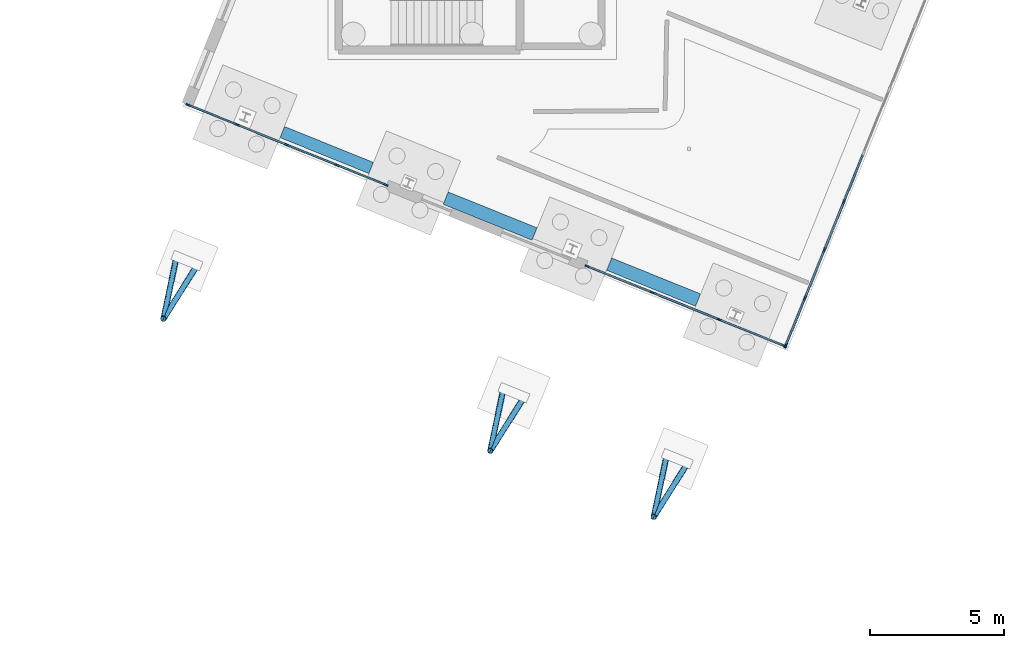
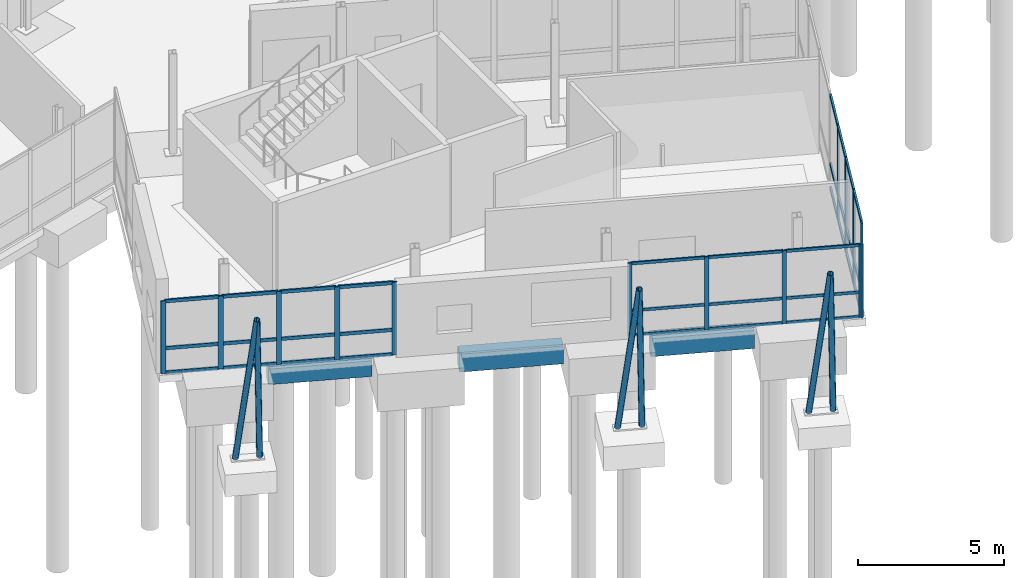
# One storey, part 41 of 113: 52 members, 3 beams, 3 elements without a shape of their own.
"""IFC4 building model written with IfcOpenShell, lengths in metres."""

from ifc_helpers import new_model, si_unit, direction, frame, origin, origin_2d, place, context, subcontext, project, spatial, rectangle, hollow_circle, extrude, material, material_profile, profile_set, type_object, element, aggregate, save


model = new_model("IFC4")

# Units and contexts
model_context = context("Model", 3, precision=1e-05, world=origin(), true_north=direction((0.0, 1.0)))
body_context = subcontext(model_context, "Body", "Model", "MODEL_VIEW")
ifc_project = project(units=[si_unit("LENGTHUNIT", "METRE"), si_unit("AREAUNIT", "SQUARE_METRE"), si_unit("VOLUMEUNIT", "CUBIC_METRE"), si_unit("PLANEANGLEUNIT", "RADIAN"), si_unit("MASSUNIT", "GRAM", prefix="KILO")], contexts=[model_context])

# Site, building, storey
site_placement = place(None, origin())
site = spatial("IfcSite", under=ifc_project, at=site_placement, CompositionType="ELEMENT")
building_placement = place(site_placement, origin())
building = spatial("IfcBuilding", under=site, at=building_placement, Name="Wrenclough Park School", CompositionType="ELEMENT")
storey_placement = place(building_placement, origin())
storey = spatial("IfcBuildingStorey", under=building, at=storey_placement, Name="L00", CompositionType="ELEMENT", Elevation=0.0)

# Curtain wall, members
ifc_material_1 = material(Name="Thermally broken aluminium and low-e glass curtain wall", Category="aluminium")
curtain_wall_type_1 = type_object("IfcCurtainWallType", Name="ENV-CW-12", PredefinedType="USERDEFINED", material=ifc_material_1)
curtain_wall_1_placement = place(storey_placement, origin())
curtain_wall_1 = element("IfcCurtainWall", 1, at=curtain_wall_1_placement, inside=storey, type_object=curtain_wall_type_1, Name="L00 recessed curtain wall assembly 075", ObjectType="CURTAIN WALL", PredefinedType="USERDEFINED")
ifc_material_2 = material(Name="Thermally broken anodised aluminium", Category="aluminium")
ifc_material_profile_1 = material_profile(ifc_material_2, rectangle(XDim=0.06005859375, YDim=0.159912109375, at=origin_2d()), Name="AL MULLION 60x160")
ifc_profile_set_1 = profile_set([ifc_material_profile_1], Name="Thermally broken anodised aluminium")
member_type_1 = type_object("IfcMemberType", Name="ENV-CWM-1", PredefinedType="MULLION", material=ifc_profile_set_1)
member_1_placement = place(storey_placement, frame((64.75439453125, 73.77392578125, 0.0), z_axis=(0.0, 0.0, 1.0), x_axis=(-0.374602999753, -0.927185306493, 0.0)))
member_1 = element("IfcMember", 2, at=member_1_placement, type_object=member_type_1, Name="CW-12 mullion 1", PredefinedType="MULLION", context=body_context, shape_type="SweptSolid", body=[
    extrude(rectangle(XDim=0.06005859375, YDim=0.159912109375, at=origin_2d()), origin(), (0.0, 0.0, 1.0), 3.0419921875),
])
member_2_placement = place(storey_placement, frame((62.2958984375, 74.767333984375, 0.0), z_axis=(0.0, 0.0, 1.0), x_axis=(-0.374602999753, -0.927185306493, 0.0)))
member_2 = element("IfcMember", 3, at=member_2_placement, type_object=member_type_1, Name="CW-12 mullion 2", PredefinedType="MULLION", context=body_context, shape_type="SweptSolid", body=[
    extrude(rectangle(XDim=0.06005859375, YDim=0.159912109375, at=origin_2d()), origin(), (0.0, 0.0, 1.0), 3.0419921875),
])
member_3_placement = place(storey_placement, frame((59.809326171875, 75.77197265625, 0.0), z_axis=(0.0, 0.0, 1.0), x_axis=(-0.374602999753, -0.927185306493, 0.0)))
member_3 = element("IfcMember", 4, at=member_3_placement, type_object=member_type_1, Name="CW-12 mullion 3", PredefinedType="MULLION", context=body_context, shape_type="SweptSolid", body=[
    extrude(rectangle(XDim=0.06005859375, YDim=0.159912109375, at=origin_2d()), origin(), (0.0, 0.0, 1.0), 3.0419921875),
])
member_4_placement = place(storey_placement, frame((57.3505859375, 76.765380859375, 0.0), z_axis=(0.0, 0.0, 1.0), x_axis=(-0.374602999753, -0.927185306493, 0.0)))
member_4 = element("IfcMember", 5, at=member_4_placement, type_object=member_type_1, Name="CW-12 mullion 4", PredefinedType="MULLION", context=body_context, shape_type="SweptSolid", body=[
    extrude(rectangle(XDim=0.06005859375, YDim=0.159912109375, at=origin_2d()), origin(), (0.0, 0.0, 1.0), 3.0419921875),
])

curtain_wall_type_2 = type_object("IfcCurtainWallType", Name="ENV-CW-13", PredefinedType="USERDEFINED", material=ifc_material_1)
curtain_wall_2_placement = place(storey_placement, origin())
curtain_wall_2 = element("IfcCurtainWall", 6, at=curtain_wall_2_placement, inside=storey, type_object=curtain_wall_type_2, Name="L00 recessed curtain wall assembly 076", ObjectType="CURTAIN WALL", PredefinedType="USERDEFINED")
ifc_material_profile_2 = material_profile(ifc_material_2, rectangle(XDim=0.06494140625, YDim=0.179931640625, at=origin_2d()), Name="AL MULLION 65x180")
ifc_profile_set_2 = profile_set([ifc_material_profile_2], Name="Thermally broken anodised aluminium")
member_type_2 = type_object("IfcMemberType", Name="ENV-CWM-2", PredefinedType="MULLION", material=ifc_profile_set_2)
member_5_placement = place(storey_placement, frame((49.818359375, 79.80859375, 0.0), z_axis=(0.0, 0.0, 1.0), x_axis=(-0.374602999753, -0.927185306493, 0.0)))
member_5 = element("IfcMember", 7, at=member_5_placement, type_object=member_type_2, Name="CW-13 mullion 1", PredefinedType="MULLION", context=body_context, shape_type="SweptSolid", body=[
    extrude(rectangle(XDim=0.06494140625, YDim=0.179931640625, at=origin_2d()), origin(), (0.0, 0.0, 1.0), 3.0419921875),
])
member_6_placement = place(storey_placement, frame((47.983642578125, 80.5498046875, 0.0), z_axis=(0.0, 0.0, 1.0), x_axis=(-0.374602999753, -0.927185306493, 0.0)))
member_6 = element("IfcMember", 8, at=member_6_placement, type_object=member_type_2, Name="CW-13 mullion 2", PredefinedType="MULLION", context=body_context, shape_type="SweptSolid", body=[
    extrude(rectangle(XDim=0.06494140625, YDim=0.179931640625, at=origin_2d()), origin(), (0.0, 0.0, 1.0), 3.0419921875),
])
member_7_placement = place(storey_placement, frame((46.11865234375, 81.30322265625, 0.0), z_axis=(0.0, 0.0, 1.0), x_axis=(-0.374602999753, -0.927185306493, 0.0)))
member_7 = element("IfcMember", 9, at=member_7_placement, type_object=member_type_2, Name="CW-13 mullion 3", PredefinedType="MULLION", context=body_context, shape_type="SweptSolid", body=[
    extrude(rectangle(XDim=0.06494140625, YDim=0.179931640625, at=origin_2d()), origin(), (0.0, 0.0, 1.0), 3.0419921875),
])
member_8_placement = place(storey_placement, frame((44.25390625, 82.056640625, 0.0), z_axis=(0.0, 0.0, 1.0), x_axis=(-0.374602999753, -0.927185306493, 0.0)))
member_8 = element("IfcMember", 10, at=member_8_placement, type_object=member_type_2, Name="CW-13 mullion 4", PredefinedType="MULLION", context=body_context, shape_type="SweptSolid", body=[
    extrude(rectangle(XDim=0.06494140625, YDim=0.179931640625, at=origin_2d()), origin(), (0.0, 0.0, 1.0), 3.0419921875),
])
member_9_placement = place(storey_placement, frame((42.419189453125, 82.798095703125, 0.0), z_axis=(0.0, 0.0, 1.0), x_axis=(-0.374602999753, -0.927185306493, 0.0)))
member_9 = element("IfcMember", 11, at=member_9_placement, type_object=member_type_2, Name="CW-13 mullion 5", PredefinedType="MULLION", context=body_context, shape_type="SweptSolid", body=[
    extrude(rectangle(XDim=0.06494140625, YDim=0.179931640625, at=origin_2d()), origin(), (0.0, 0.0, 1.0), 3.0419921875),
])

curtain_wall_type_3 = type_object("IfcCurtainWallType", Name="ENV-CW-11", PredefinedType="USERDEFINED", material=ifc_material_1)
curtain_wall_3_placement = place(storey_placement, origin())
curtain_wall_3 = element("IfcCurtainWall", 12, at=curtain_wall_3_placement, inside=storey, type_object=curtain_wall_type_3, Name="L00 recessed curtain wall assembly 074", ObjectType="CURTAIN WALL", PredefinedType="USERDEFINED")
ifc_material_profile_3 = material_profile(ifc_material_2, rectangle(XDim=0.070068359375, YDim=0.199951171875, at=origin_2d()), Name="AL MULLION 70x200")
ifc_profile_set_3 = profile_set([ifc_material_profile_3], Name="Thermally broken anodised aluminium")
member_type_3 = type_object("IfcMemberType", Name="ENV-CWM-3", PredefinedType="MULLION", material=ifc_profile_set_3)
member_10_placement = place(storey_placement, frame((66.970947265625, 79.169677734375, 0.0), z_axis=(0.0, 0.0, 1.0), x_axis=(0.927186240353, -0.374600688333, 0.0)))
member_10 = element("IfcMember", 13, at=member_10_placement, type_object=member_type_3, Name="CW-11 mullion 2", PredefinedType="MULLION", context=body_context, shape_type="SweptSolid", body=[
    extrude(rectangle(XDim=0.070068359375, YDim=0.199951171875, at=origin_2d()), origin(), (0.0, 0.0, 1.0), 3.93994140625),
])
member_11_placement = place(storey_placement, frame((66.2431640625, 77.3681640625, 0.0), z_axis=(0.0, 0.0, 1.0), x_axis=(0.927186240353, -0.374600688333, 0.0)))
member_11 = element("IfcMember", 14, at=member_11_placement, type_object=member_type_3, Name="CW-11 mullion 3", PredefinedType="MULLION", context=body_context, shape_type="SweptSolid", body=[
    extrude(rectangle(XDim=0.070068359375, YDim=0.199951171875, at=origin_2d()), origin(), (0.0, 0.0, 1.0), 3.93994140625),
])
member_12_placement = place(storey_placement, frame((65.515380859375, 75.56640625, 0.0), z_axis=(0.0, 0.0, 1.0), x_axis=(0.927186240353, -0.374600688333, 0.0)))
member_12 = element("IfcMember", 15, at=member_12_placement, type_object=member_type_3, Name="CW-11 mullion 4", PredefinedType="MULLION", context=body_context, shape_type="SweptSolid", body=[
    extrude(rectangle(XDim=0.070068359375, YDim=0.199951171875, at=origin_2d()), origin(), (0.0, 0.0, 1.0), 3.93994140625),
])
member_13_placement = place(storey_placement, frame((64.800537109375, 73.79736328125, 0.0), z_axis=(0.0, 0.0, 1.0), x_axis=(0.927186240353, -0.374600688333, 0.0)))
member_13 = element("IfcMember", 16, at=member_13_placement, type_object=member_type_3, Name="CW-11 mullion 5", PredefinedType="MULLION", context=body_context, shape_type="SweptSolid", body=[
    extrude(rectangle(XDim=0.070068359375, YDim=0.199951171875, at=origin_2d()), origin(), (0.0, 0.0, 1.0), 3.93994140625),
])

# Member
ifc_material_profile_4 = material_profile(ifc_material_2, rectangle(XDim=0.06005859375, YDim=0.1201171875, at=origin_2d()), Name="AL TRANSOM 60x120")
ifc_profile_set_4 = profile_set([ifc_material_profile_4], Name="Thermally broken anodised aluminium")
member_type_4 = type_object("IfcMemberType", Name="ENV-CWT-1", PredefinedType="USERDEFINED", material=ifc_profile_set_4)
member_14_placement = place(storey_placement, frame((64.7265625, 73.78515625, 0.030029296875), z_axis=(-0.927165075801, 0.374653069138, 0.0), x_axis=(-0.374653069138, -0.927165075801, 0.0)))
member_14 = element("IfcMember", 17, at=member_14_placement, type_object=member_type_4, Name="CW-12 transom 1.1", ObjectType="TRANSOM", PredefinedType="USERDEFINED", context=body_context, shape_type="SweptSolid", body=[
    extrude(rectangle(XDim=0.06005859375, YDim=0.1201171875, at=origin_2d()), origin(), (0.0, 0.0, 1.0), 2.591552734375),
])

member_15_placement = place(storey_placement, frame((64.7265625, 73.78515625, 1.050048828125), z_axis=(-0.927165075801, 0.374653069138, 0.0), x_axis=(-0.374653069138, -0.927165075801, 0.0)))
member_15 = element("IfcMember", 18, at=member_15_placement, type_object=member_type_4, Name="CW-12 transom 1.2", ObjectType="TRANSOM", PredefinedType="USERDEFINED", context=body_context, shape_type="SweptSolid", body=[
    extrude(rectangle(XDim=0.06005859375, YDim=0.1201171875, at=origin_2d()), origin(), (0.0, 0.0, 1.0), 2.591552734375),
])

member_16_placement = place(storey_placement, frame((64.7265625, 73.78515625, 3.011962890625), z_axis=(-0.927165075801, 0.374653069138, 0.0), x_axis=(-0.374653069138, -0.927165075801, 0.0)))
member_16 = element("IfcMember", 19, at=member_16_placement, type_object=member_type_4, Name="CW-12 transom 1.3", ObjectType="TRANSOM", PredefinedType="USERDEFINED", context=body_context, shape_type="SweptSolid", body=[
    extrude(rectangle(XDim=0.06005859375, YDim=0.1201171875, at=origin_2d()), origin(), (0.0, 0.0, 1.0), 2.591552734375),
])

member_17_placement = place(storey_placement, frame((62.26806640625, 74.778564453125, 0.030029296875), z_axis=(-0.927180268704, 0.374615468615, 0.0), x_axis=(-0.374615468615, -0.927180268704, 0.0)))
member_17 = element("IfcMember", 20, at=member_17_placement, type_object=member_type_4, Name="CW-12 transom 2.1", ObjectType="TRANSOM", PredefinedType="USERDEFINED", context=body_context, shape_type="SweptSolid", body=[
    extrude(rectangle(XDim=0.06005859375, YDim=0.1201171875, at=origin_2d()), origin(), (0.0, 0.0, 1.0), 2.621826171875),
])

member_18_placement = place(storey_placement, frame((62.26806640625, 74.778564453125, 1.050048828125), z_axis=(-0.927180268704, 0.374615468615, 0.0), x_axis=(-0.374615468615, -0.927180268704, 0.0)))
member_18 = element("IfcMember", 21, at=member_18_placement, type_object=member_type_4, Name="CW-12 transom 2.2", ObjectType="TRANSOM", PredefinedType="USERDEFINED", context=body_context, shape_type="SweptSolid", body=[
    extrude(rectangle(XDim=0.06005859375, YDim=0.1201171875, at=origin_2d()), origin(), (0.0, 0.0, 1.0), 2.621826171875),
])

member_19_placement = place(storey_placement, frame((62.26806640625, 74.778564453125, 3.011962890625), z_axis=(-0.927180268704, 0.374615468615, 0.0), x_axis=(-0.374615468615, -0.927180268704, 0.0)))
member_19 = element("IfcMember", 22, at=member_19_placement, type_object=member_type_4, Name="CW-12 transom 2.3", ObjectType="TRANSOM", PredefinedType="USERDEFINED", context=body_context, shape_type="SweptSolid", body=[
    extrude(rectangle(XDim=0.06005859375, YDim=0.1201171875, at=origin_2d()), origin(), (0.0, 0.0, 1.0), 2.621826171875),
])

member_20_placement = place(storey_placement, frame((59.781494140625, 75.783203125, 0.030029296875), z_axis=(-0.927178297139, 0.374620348239, 0.0), x_axis=(-0.374620348239, -0.927178297139, 0.0)))
member_20 = element("IfcMember", 23, at=member_20_placement, type_object=member_type_4, Name="CW-12 transom 3.1", ObjectType="TRANSOM", PredefinedType="USERDEFINED", context=body_context, shape_type="SweptSolid", body=[
    extrude(rectangle(XDim=0.06005859375, YDim=0.1201171875, at=origin_2d()), origin(), (0.0, 0.0, 1.0), 2.591796875),
])

member_21_placement = place(storey_placement, frame((59.781494140625, 75.783203125, 1.050048828125), z_axis=(-0.927178297139, 0.374620348239, 0.0), x_axis=(-0.374620348239, -0.927178297139, 0.0)))
member_21 = element("IfcMember", 24, at=member_21_placement, type_object=member_type_4, Name="CW-12 transom 3.2", ObjectType="TRANSOM", PredefinedType="USERDEFINED", context=body_context, shape_type="SweptSolid", body=[
    extrude(rectangle(XDim=0.06005859375, YDim=0.1201171875, at=origin_2d()), origin(), (0.0, 0.0, 1.0), 2.591796875),
])

member_22_placement = place(storey_placement, frame((59.781494140625, 75.783203125, 3.011962890625), z_axis=(-0.927178297139, 0.374620348239, 0.0), x_axis=(-0.374620348239, -0.927178297139, 0.0)))
member_22 = element("IfcMember", 25, at=member_22_placement, type_object=member_type_4, Name="CW-12 transom 3.3", ObjectType="TRANSOM", PredefinedType="USERDEFINED", context=body_context, shape_type="SweptSolid", body=[
    extrude(rectangle(XDim=0.06005859375, YDim=0.1201171875, at=origin_2d()), origin(), (0.0, 0.0, 1.0), 2.591796875),
])

aggregate(curtain_wall_1, [member_1, member_2, member_3, member_4, member_14, member_15, member_16, member_17, member_18, member_19, member_20, member_21, member_22])

ifc_material_profile_5 = material_profile(ifc_material_2, rectangle(XDim=0.06494140625, YDim=0.139892578125, at=origin_2d()), Name="AL TRANSOM 65x140")
ifc_profile_set_5 = profile_set([ifc_material_profile_5], Name="Thermally broken anodised aluminium")
member_type_5 = type_object("IfcMemberType", Name="ENV-CWT-2", PredefinedType="USERDEFINED", material=ifc_profile_set_5)
member_23_placement = place(storey_placement, frame((49.788330078125, 79.82080078125, 0.032470703125), z_axis=(-0.927222245784, 0.374511557796, 0.0), x_axis=(-0.374511557796, -0.927222245784, 0.0)))
member_23 = element("IfcMember", 26, at=member_23_placement, type_object=member_type_5, Name="CW-13 transom 1.1", ObjectType="TRANSOM", PredefinedType="USERDEFINED", context=body_context, shape_type="SweptSolid", body=[
    extrude(rectangle(XDim=0.06494140625, YDim=0.139892578125, at=origin_2d()), origin(), (0.0, 0.0, 1.0), 1.9140625),
])

member_24_placement = place(storey_placement, frame((49.788330078125, 79.82080078125, 1.050048828125), z_axis=(-0.927222245784, 0.374511557796, 0.0), x_axis=(-0.374511557796, -0.927222245784, 0.0)))
member_24 = element("IfcMember", 27, at=member_24_placement, type_object=member_type_5, Name="CW-13 transom 1.2", ObjectType="TRANSOM", PredefinedType="USERDEFINED", context=body_context, shape_type="SweptSolid", body=[
    extrude(rectangle(XDim=0.06494140625, YDim=0.139892578125, at=origin_2d()), origin(), (0.0, 0.0, 1.0), 1.9140625),
])

member_25_placement = place(storey_placement, frame((49.788330078125, 79.82080078125, 3.009521484375), z_axis=(-0.927222245784, 0.374511557796, 0.0), x_axis=(-0.374511557796, -0.927222245784, 0.0)))
member_25 = element("IfcMember", 28, at=member_25_placement, type_object=member_type_5, Name="CW-13 transom 1.3", ObjectType="TRANSOM", PredefinedType="USERDEFINED", context=body_context, shape_type="SweptSolid", body=[
    extrude(rectangle(XDim=0.06494140625, YDim=0.139892578125, at=origin_2d()), origin(), (0.0, 0.0, 1.0), 1.9140625),
])

member_26_placement = place(storey_placement, frame((47.95361328125, 80.56201171875, 0.032470703125), z_axis=(-0.927208331145, 0.37454600606, 0.0), x_axis=(-0.37454600606, -0.927208331145, 0.0)))
member_26 = element("IfcMember", 29, at=member_26_placement, type_object=member_type_5, Name="CW-13 transom 2.1", ObjectType="TRANSOM", PredefinedType="USERDEFINED", context=body_context, shape_type="SweptSolid", body=[
    extrude(rectangle(XDim=0.06494140625, YDim=0.139892578125, at=origin_2d()), origin(), (0.0, 0.0, 1.0), 1.9462890625),
])

member_27_placement = place(storey_placement, frame((47.95361328125, 80.56201171875, 1.050048828125), z_axis=(-0.927208331145, 0.37454600606, 0.0), x_axis=(-0.37454600606, -0.927208331145, 0.0)))
member_27 = element("IfcMember", 30, at=member_27_placement, type_object=member_type_5, Name="CW-13 transom 2.2", ObjectType="TRANSOM", PredefinedType="USERDEFINED", context=body_context, shape_type="SweptSolid", body=[
    extrude(rectangle(XDim=0.06494140625, YDim=0.139892578125, at=origin_2d()), origin(), (0.0, 0.0, 1.0), 1.9462890625),
])

member_28_placement = place(storey_placement, frame((47.95361328125, 80.56201171875, 3.009521484375), z_axis=(-0.927208331145, 0.37454600606, 0.0), x_axis=(-0.37454600606, -0.927208331145, 0.0)))
member_28 = element("IfcMember", 31, at=member_28_placement, type_object=member_type_5, Name="CW-13 transom 2.3", ObjectType="TRANSOM", PredefinedType="USERDEFINED", context=body_context, shape_type="SweptSolid", body=[
    extrude(rectangle(XDim=0.06494140625, YDim=0.139892578125, at=origin_2d()), origin(), (0.0, 0.0, 1.0), 1.9462890625),
])

member_29_placement = place(storey_placement, frame((46.088623046875, 81.3154296875, 0.032470703125), z_axis=(-0.927164765919, 0.374653836012, 0.0), x_axis=(-0.374653836012, -0.927164765919, 0.0)))
member_29 = element("IfcMember", 32, at=member_29_placement, type_object=member_type_5, Name="CW-13 transom 3.1", ObjectType="TRANSOM", PredefinedType="USERDEFINED", context=body_context, shape_type="SweptSolid", body=[
    extrude(rectangle(XDim=0.06494140625, YDim=0.139892578125, at=origin_2d()), origin(), (0.0, 0.0, 1.0), 1.946533203125),
])

member_30_placement = place(storey_placement, frame((46.088623046875, 81.3154296875, 1.050048828125), z_axis=(-0.927164765919, 0.374653836012, 0.0), x_axis=(-0.374653836012, -0.927164765919, 0.0)))
member_30 = element("IfcMember", 33, at=member_30_placement, type_object=member_type_5, Name="CW-13 transom 3.2", ObjectType="TRANSOM", PredefinedType="USERDEFINED", context=body_context, shape_type="SweptSolid", body=[
    extrude(rectangle(XDim=0.06494140625, YDim=0.139892578125, at=origin_2d()), origin(), (0.0, 0.0, 1.0), 1.946533203125),
])

member_31_placement = place(storey_placement, frame((46.088623046875, 81.3154296875, 3.009521484375), z_axis=(-0.927164765919, 0.374653836012, 0.0), x_axis=(-0.374653836012, -0.927164765919, 0.0)))
member_31 = element("IfcMember", 34, at=member_31_placement, type_object=member_type_5, Name="CW-13 transom 3.3", ObjectType="TRANSOM", PredefinedType="USERDEFINED", context=body_context, shape_type="SweptSolid", body=[
    extrude(rectangle(XDim=0.06494140625, YDim=0.139892578125, at=origin_2d()), origin(), (0.0, 0.0, 1.0), 1.946533203125),
])

member_32_placement = place(storey_placement, frame((44.2236328125, 82.06884765625, 0.032470703125), z_axis=(-0.927160042049, 0.374665526073, 0.0), x_axis=(-0.374665526073, -0.927160042049, 0.0)))
member_32 = element("IfcMember", 35, at=member_32_placement, type_object=member_type_5, Name="CW-13 transom 4.1", ObjectType="TRANSOM", PredefinedType="USERDEFINED", context=body_context, shape_type="SweptSolid", body=[
    extrude(rectangle(XDim=0.06494140625, YDim=0.139892578125, at=origin_2d()), origin(), (0.0, 0.0, 1.0), 1.913818359375),
])

member_33_placement = place(storey_placement, frame((44.2236328125, 82.06884765625, 1.050048828125), z_axis=(-0.927160042049, 0.374665526073, 0.0), x_axis=(-0.374665526073, -0.927160042049, 0.0)))
member_33 = element("IfcMember", 36, at=member_33_placement, type_object=member_type_5, Name="CW-13 transom 4.2", ObjectType="TRANSOM", PredefinedType="USERDEFINED", context=body_context, shape_type="SweptSolid", body=[
    extrude(rectangle(XDim=0.06494140625, YDim=0.139892578125, at=origin_2d()), origin(), (0.0, 0.0, 1.0), 1.913818359375),
])

member_34_placement = place(storey_placement, frame((44.2236328125, 82.06884765625, 3.009521484375), z_axis=(-0.927160042049, 0.374665526073, 0.0), x_axis=(-0.374665526073, -0.927160042049, 0.0)))
member_34 = element("IfcMember", 37, at=member_34_placement, type_object=member_type_5, Name="CW-13 transom 4.3", ObjectType="TRANSOM", PredefinedType="USERDEFINED", context=body_context, shape_type="SweptSolid", body=[
    extrude(rectangle(XDim=0.06494140625, YDim=0.139892578125, at=origin_2d()), origin(), (0.0, 0.0, 1.0), 1.913818359375),
])

aggregate(curtain_wall_2, [member_5, member_6, member_7, member_8, member_9, member_23, member_24, member_25, member_26, member_27, member_28, member_29, member_30, member_31, member_32, member_33, member_34])

ifc_material_profile_6 = material_profile(ifc_material_2, rectangle(XDim=0.070068359375, YDim=0.14990234375, at=origin_2d()), Name="AL TRANSOM 70x150")
ifc_profile_set_6 = profile_set([ifc_material_profile_6], Name="Thermally broken anodised aluminium")
member_type_6 = type_object("IfcMemberType", Name="ENV-CWT-3", PredefinedType="USERDEFINED", material=ifc_profile_set_6)
member_35_placement = place(storey_placement, frame((67.672607421875, 80.90625, 0.034912109375), z_axis=(-0.374594824941, -0.927188609252, 0.0), x_axis=(0.927188609252, -0.374594824941, 0.0)))
member_35 = element("IfcMember", 38, at=member_35_placement, type_object=member_type_6, Name="CW-11 transom 1.1", ObjectType="TRANSOM", PredefinedType="USERDEFINED", context=body_context, shape_type="SweptSolid", body=[
    extrude(rectangle(XDim=0.070068359375, YDim=0.14990234375, at=origin_2d()), origin(), (0.0, 0.0, 1.0), 1.837890625),
])

member_36_placement = place(storey_placement, frame((67.672607421875, 80.90625, 1.050048828125), z_axis=(-0.374594824941, -0.927188609252, 0.0), x_axis=(0.927188609252, -0.374594824941, 0.0)))
member_36 = element("IfcMember", 39, at=member_36_placement, type_object=member_type_6, Name="CW-11 transom 1.2", ObjectType="TRANSOM", PredefinedType="USERDEFINED", context=body_context, shape_type="SweptSolid", body=[
    extrude(rectangle(XDim=0.070068359375, YDim=0.14990234375, at=origin_2d()), origin(), (0.0, 0.0, 1.0), 1.837890625),
])

member_37_placement = place(storey_placement, frame((67.672607421875, 80.90625, 3.905029296875), z_axis=(-0.374594824941, -0.927188609252, 0.0), x_axis=(0.927188609252, -0.374594824941, 0.0)))
member_37 = element("IfcMember", 40, at=member_37_placement, type_object=member_type_6, Name="CW-11 transom 1.3", ObjectType="TRANSOM", PredefinedType="USERDEFINED", context=body_context, shape_type="SweptSolid", body=[
    extrude(rectangle(XDim=0.070068359375, YDim=0.14990234375, at=origin_2d()), origin(), (0.0, 0.0, 1.0), 1.837890625),
])

member_38_placement = place(storey_placement, frame((66.9580078125, 79.13720703125, 0.034912109375), z_axis=(-0.374579414659, -0.927194835034, 0.0), x_axis=(0.927194835034, -0.374579414659, 0.0)))
member_38 = element("IfcMember", 41, at=member_38_placement, type_object=member_type_6, Name="CW-11 transom 2.1", ObjectType="TRANSOM", PredefinedType="USERDEFINED", context=body_context, shape_type="SweptSolid", body=[
    extrude(rectangle(XDim=0.070068359375, YDim=0.14990234375, at=origin_2d()), origin(), (0.0, 0.0, 1.0), 1.873291015625),
])

member_39_placement = place(storey_placement, frame((66.9580078125, 79.13720703125, 1.050048828125), z_axis=(-0.374579414659, -0.927194835034, 0.0), x_axis=(0.927194835034, -0.374579414659, 0.0)))
member_39 = element("IfcMember", 42, at=member_39_placement, type_object=member_type_6, Name="CW-11 transom 2.2", ObjectType="TRANSOM", PredefinedType="USERDEFINED", context=body_context, shape_type="SweptSolid", body=[
    extrude(rectangle(XDim=0.070068359375, YDim=0.14990234375, at=origin_2d()), origin(), (0.0, 0.0, 1.0), 1.873291015625),
])

member_40_placement = place(storey_placement, frame((66.9580078125, 79.13720703125, 3.905029296875), z_axis=(-0.374579414659, -0.927194835034, 0.0), x_axis=(0.927194835034, -0.374579414659, 0.0)))
member_40 = element("IfcMember", 43, at=member_40_placement, type_object=member_type_6, Name="CW-11 transom 2.3", ObjectType="TRANSOM", PredefinedType="USERDEFINED", context=body_context, shape_type="SweptSolid", body=[
    extrude(rectangle(XDim=0.070068359375, YDim=0.14990234375, at=origin_2d()), origin(), (0.0, 0.0, 1.0), 1.873291015625),
])

member_41_placement = place(storey_placement, frame((66.22998046875, 77.335693359375, 0.034912109375), z_axis=(-0.374467359734, -0.927240096466, 0.0), x_axis=(0.927240096466, -0.374467359734, 0.0)))
member_41 = element("IfcMember", 44, at=member_41_placement, type_object=member_type_6, Name="CW-11 transom 3.1", ObjectType="TRANSOM", PredefinedType="USERDEFINED", context=body_context, shape_type="SweptSolid", body=[
    extrude(rectangle(XDim=0.070068359375, YDim=0.14990234375, at=origin_2d()), origin(), (0.0, 0.0, 1.0), 1.873046875),
])

member_42_placement = place(storey_placement, frame((66.22998046875, 77.335693359375, 1.050048828125), z_axis=(-0.374467359734, -0.927240096466, 0.0), x_axis=(0.927240096466, -0.374467359734, 0.0)))
member_42 = element("IfcMember", 45, at=member_42_placement, type_object=member_type_6, Name="CW-11 transom 3.2", ObjectType="TRANSOM", PredefinedType="USERDEFINED", context=body_context, shape_type="SweptSolid", body=[
    extrude(rectangle(XDim=0.070068359375, YDim=0.14990234375, at=origin_2d()), origin(), (0.0, 0.0, 1.0), 1.873046875),
])

member_43_placement = place(storey_placement, frame((66.22998046875, 77.335693359375, 3.905029296875), z_axis=(-0.374467359734, -0.927240096466, 0.0), x_axis=(0.927240096466, -0.374467359734, 0.0)))
member_43 = element("IfcMember", 46, at=member_43_placement, type_object=member_type_6, Name="CW-11 transom 3.3", ObjectType="TRANSOM", PredefinedType="USERDEFINED", context=body_context, shape_type="SweptSolid", body=[
    extrude(rectangle(XDim=0.070068359375, YDim=0.14990234375, at=origin_2d()), origin(), (0.0, 0.0, 1.0), 1.873046875),
])

member_44_placement = place(storey_placement, frame((65.502197265625, 75.5341796875, 0.034912109375), z_axis=(-0.374548693885, -0.927207245393, 0.0), x_axis=(0.927207245393, -0.374548693885, 0.0)))
member_44 = element("IfcMember", 47, at=member_44_placement, type_object=member_type_6, Name="CW-11 transom 4.1", ObjectType="TRANSOM", PredefinedType="USERDEFINED", context=body_context, shape_type="SweptSolid", body=[
    extrude(rectangle(XDim=0.070068359375, YDim=0.14990234375, at=origin_2d()), origin(), (0.0, 0.0, 1.0), 1.838134765625),
])

member_45_placement = place(storey_placement, frame((65.502197265625, 75.5341796875, 1.050048828125), z_axis=(-0.374548693885, -0.927207245393, 0.0), x_axis=(0.927207245393, -0.374548693885, 0.0)))
member_45 = element("IfcMember", 48, at=member_45_placement, type_object=member_type_6, Name="CW-11 transom 4.2", ObjectType="TRANSOM", PredefinedType="USERDEFINED", context=body_context, shape_type="SweptSolid", body=[
    extrude(rectangle(XDim=0.070068359375, YDim=0.14990234375, at=origin_2d()), origin(), (0.0, 0.0, 1.0), 1.838134765625),
])

member_46_placement = place(storey_placement, frame((65.502197265625, 75.5341796875, 3.905029296875), z_axis=(-0.374548693885, -0.927207245393, 0.0), x_axis=(0.927207245393, -0.374548693885, 0.0)))
member_46 = element("IfcMember", 49, at=member_46_placement, type_object=member_type_6, Name="CW-11 transom 4.3", ObjectType="TRANSOM", PredefinedType="USERDEFINED", context=body_context, shape_type="SweptSolid", body=[
    extrude(rectangle(XDim=0.070068359375, YDim=0.14990234375, at=origin_2d()), origin(), (0.0, 0.0, 1.0), 1.838134765625),
])

aggregate(curtain_wall_3, [member_10, member_11, member_12, member_13, member_35, member_36, member_37, member_38, member_39, member_40, member_41, member_42, member_43, member_44, member_45, member_46])

# Beams
ifc_material_3 = material(Name="Concrete C35/45", Category="concrete")
ifc_material_profile_7 = material_profile(ifc_material_3, rectangle(XDim=0.449951171875, YDim=0.64990234375, at=origin_2d()), Name="RC GROUND 450x650")
ifc_profile_set_7 = profile_set([ifc_material_profile_7], Name="Concrete C35/45")
beam_type_1 = type_object("IfcBeamType", Name="STR-BM-GTB1", PredefinedType="USERDEFINED", material=ifc_profile_set_7)
beam_placement = place(storey_placement, frame((45.947021484375, 81.782470703125, -0.625), z_axis=(0.927188609252, -0.374594824941, 0.0), x_axis=(0.374594824941, 0.927188609252, 0.0)))
element("IfcBeam", 50, at=beam_placement, inside=storey, type_object=beam_type_1, Name="Reinforced concrete ground tie beam 027", ObjectType="GROUND TIE BEAM", PredefinedType="USERDEFINED", context=body_context, shape_type="SweptSolid", body=[
    extrude(rectangle(XDim=0.449951171875, YDim=0.64990234375, at=origin_2d()), origin(), (0.0, 0.0, 1.0), 3.583984375),
])
ifc_material_profile_8 = material_profile(ifc_material_3, rectangle(XDim=0.5, YDim=0.75, at=origin_2d()), Name="RC GROUND 500x750")
ifc_profile_set_8 = profile_set([ifc_material_profile_8], Name="Concrete C35/45")
beam_type_2 = type_object("IfcBeamType", Name="STR-BM-GTB2", PredefinedType="USERDEFINED", material=ifc_profile_set_8)
for number, where, z_axis, x_axis, name in (
    (51, (52.06640625, 79.31005859375, -0.675048828125), (0.927188609252, -0.374594824941, 0.0), (0.374594824941, 0.927188609252, 0.0), "Reinforced concrete ground tie beam 030"),
    (52, (61.5087890625, 75.4951171875, -0.675048828125), (-0.927188609252, 0.374594824941, 0.0), (-0.374594824941, -0.927188609252, 0.0), "Reinforced concrete ground tie beam 032"),
):
    element("IfcBeam", number, at=place(storey_placement, frame(where, z_axis=z_axis, x_axis=x_axis)), inside=storey, type_object=beam_type_2, Name=name, ObjectType="GROUND TIE BEAM", PredefinedType="USERDEFINED", context=body_context, shape_type="SweptSolid", body=[
        extrude(rectangle(XDim=0.5, YDim=0.75, at=origin_2d()), origin(), (0.0, 0.0, 1.0), 3.583984375),
    ])

# Members
ifc_material_4 = material(Name="Structural steel S355", Category="steel")
ifc_material_profile_9 = material_profile(ifc_material_4, hollow_circle(Radius=0.109619140625, WallThickness=0.012451171875, at=origin_2d()), Name="CHS 219.1x12.5")
ifc_profile_set_9 = profile_set([ifc_material_profile_9], Name="Structural steel S355")
member_type_7 = type_object("IfcMemberType", Name="STR-MEM-STRUT1", PredefinedType="STRUT", material=ifc_profile_set_9)
member_47_placement = place(storey_placement, frame((41.98681640625, 77.126953125, 0.055908203125), z_axis=(-0.063477703608, -0.302016244717, 0.951187031594), x_axis=(0.978618098847, -0.205685722908, 0.0)))
element("IfcMember", 53, at=member_47_placement, inside=storey, type_object=member_type_7, Name="EAVE-COURTYARD raking steel eave V-strut 1L", PredefinedType="STRUT", context=body_context, shape_type="SweptSolid", body=[
    extrude(hollow_circle(Radius=0.109619140625, WallThickness=0.012451171875, at=origin_2d()), origin(), (0.0, 0.0, 1.0), 7.734375),
])
member_48_placement = place(storey_placement, frame((42.765380859375, 76.8125, 0.055908203125), z_axis=(-0.164138637477, -0.26135921506, 0.951183404181), x_axis=(0.846847139586, -0.531836367856, 0.0)))
element("IfcMember", 54, at=member_48_placement, inside=storey, type_object=member_type_7, Name="EAVE-COURTYARD raking steel eave V-strut 1R", PredefinedType="STRUT", context=body_context, shape_type="SweptSolid", body=[
    extrude(hollow_circle(Radius=0.109619140625, WallThickness=0.012451171875, at=origin_2d()), origin(), (0.0, 0.0, 1.0), 7.734619140625),
])
member_49_placement = place(storey_placement, frame((54.2255859375, 72.18212890625, 0.055908203125), z_axis=(-0.063477703608, -0.302016244717, 0.951187031594), x_axis=(0.978618098847, -0.205685722908, 0.0)))
element("IfcMember", 55, at=member_49_placement, inside=storey, type_object=member_type_7, Name="EAVE-COURTYARD raking steel eave V-strut 2L", PredefinedType="STRUT", context=body_context, shape_type="SweptSolid", body=[
    extrude(hollow_circle(Radius=0.109619140625, WallThickness=0.012451171875, at=origin_2d()), origin(), (0.0, 0.0, 1.0), 7.734375),
])
member_50_placement = place(storey_placement, frame((55.00439453125, 71.86767578125, 0.055908203125), z_axis=(-0.16416935195, -0.261357860824, 0.951178475611), x_axis=(0.84680107533, -0.531909709274, 0.0)))
element("IfcMember", 56, at=member_50_placement, inside=storey, type_object=member_type_7, Name="EAVE-COURTYARD raking steel eave V-strut 2R", PredefinedType="STRUT", context=body_context, shape_type="SweptSolid", body=[
    extrude(hollow_circle(Radius=0.109619140625, WallThickness=0.012451171875, at=origin_2d()), origin(), (0.0, 0.0, 1.0), 7.734619140625),
])
member_51_placement = place(storey_placement, frame((60.344970703125, 69.709716796875, 0.055908203125), z_axis=(-0.063477703608, -0.302016244717, 0.951187031594), x_axis=(0.978618098847, -0.205685722908, 0.0)))
element("IfcMember", 57, at=member_51_placement, inside=storey, type_object=member_type_7, Name="EAVE-COURTYARD raking steel eave V-strut 3L", PredefinedType="STRUT", context=body_context, shape_type="SweptSolid", body=[
    extrude(hollow_circle(Radius=0.109619140625, WallThickness=0.012451171875, at=origin_2d()), origin(), (0.0, 0.0, 1.0), 7.734375),
])
member_52_placement = place(storey_placement, frame((61.123779296875, 69.395263671875, 0.055908203125), z_axis=(-0.16416935195, -0.261357860824, 0.951178475611), x_axis=(0.84680107533, -0.531909709274, 0.0)))
element("IfcMember", 58, at=member_52_placement, inside=storey, type_object=member_type_7, Name="EAVE-COURTYARD raking steel eave V-strut 3R", PredefinedType="STRUT", context=body_context, shape_type="SweptSolid", body=[
    extrude(hollow_circle(Radius=0.109619140625, WallThickness=0.012451171875, at=origin_2d()), origin(), (0.0, 0.0, 1.0), 7.734619140625),
])

save(model, "model.ifc")
